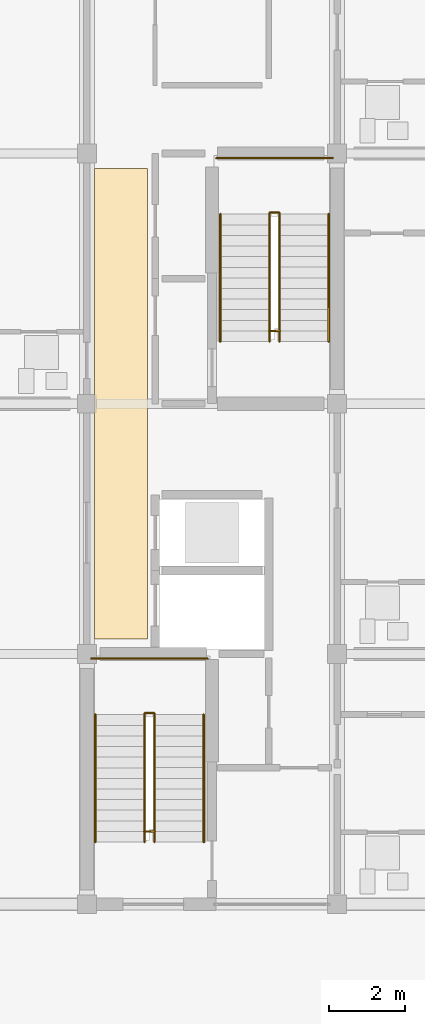
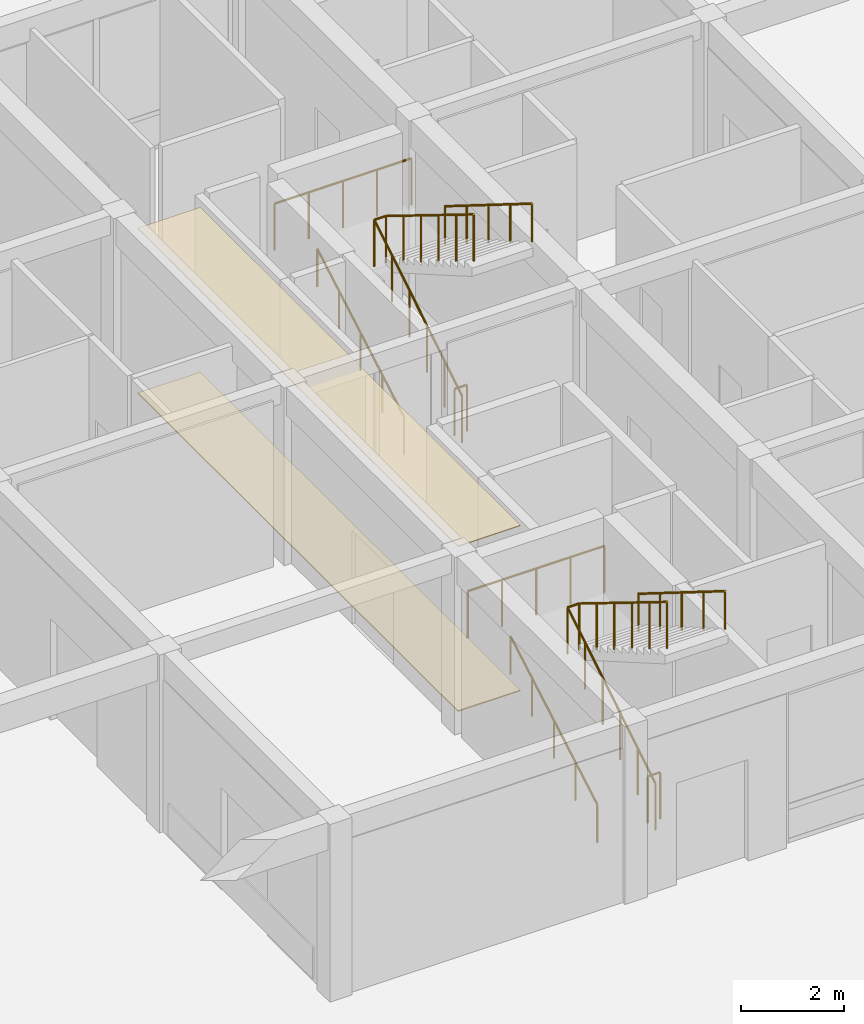
# One storey, part 71 of 75: 10 railings, 2 coverings.
"""IFC4 building model written with IfcOpenShell, lengths in metres."""

import ifcopenshell
import ifcopenshell.guid

model = None  # the IFC model being written
_history = None  # IfcOwnerHistory: only IFC2X3 demands one
_inside = {}  # id of a spatial element -> (the spatial element, [elements in it])
_under = {}  # id of a project, library or spatial element -> (it, [spatial elements below it])
_declared = {}  # id of a project -> (the project, [libraries it declares])
_typed = {}  # id of a type object -> (the type object, [elements of that type])
_made_of = {}  # id of a material, layer set ... -> (it, [elements and type objects made of it])


def new_model(schema):
    """Start an empty IFC model of exactly this schema.

    Asked for "IFC4X3", IfcOpenShell would pick the latest addendum, in which some entities
    have other attributes; the version numbers below select the first issue.
    IFC2X3 requires an IfcOwnerHistory on every rooted entity: one is made here for all.
    """
    global model, _history
    if schema == "IFC4X3":
        model = ifcopenshell.file(schema_version=(4, 3, 0, 0))
    else:
        model = ifcopenshell.file(schema=schema)
    _inside.clear()
    _under.clear()
    _declared.clear()
    _typed.clear()
    _made_of.clear()
    _history = None
    if model.schema == "IFC2X3":
        org = make("IfcOrganization", Name="unknown")
        user = make(
            "IfcPersonAndOrganization",
            ThePerson=make("IfcPerson", FamilyName="unknown"),
            TheOrganization=org,
        )
        app = make(
            "IfcApplication",
            ApplicationDeveloper=org,
            Version="unknown",
            ApplicationFullName="unknown",
            ApplicationIdentifier="unknown",
        )
        _history = make(
            "IfcOwnerHistory",
            OwningUser=user,
            OwningApplication=app,
            ChangeAction="ADDED",
            CreationDate=0,
        )
    return model


def make(cls, **values):
    """One entity of the class cls with the attributes given. An attribute that is None is left unset."""
    return model.create_entity(
        cls, **{name: value for name, value in values.items() if value is not None}
    )


def rooted(cls, **values):
    """An entity with a GlobalId (a new one), such as an element, a storey or a relation."""
    return make(cls, GlobalId=ifcopenshell.guid.new(), OwnerHistory=_history, **values)


def si_unit(unit_type, name, prefix=None):
    """IfcSIUnit, for example si_unit("LENGTHUNIT", "METRE", prefix="MILLI")."""
    return make("IfcSIUnit", UnitType=unit_type, Prefix=prefix, Name=name)


def assignment(units):
    """IfcUnitAssignment: the units of a project."""
    return None if units is None else make("IfcUnitAssignment", Units=units)


def point(xyz):
    """IfcCartesianPoint."""
    return None if xyz is None else make("IfcCartesianPoint", Coordinates=xyz)


def direction(xyz):
    """IfcDirection."""
    return None if xyz is None else make("IfcDirection", DirectionRatios=xyz)


def frame(location, z_axis=None, x_axis=None):
    """IfcAxis2Placement3D, a coordinate frame: its origin and axes. An axis left out is left unset."""
    return make(
        "IfcAxis2Placement3D",
        Location=point(location),
        Axis=direction(z_axis),
        RefDirection=direction(x_axis),
    )


def frame_2d(location, x_axis=None):
    """IfcAxis2Placement2D, a coordinate frame in the plane: its origin and x axis."""
    return make(
        "IfcAxis2Placement2D", Location=point(location), RefDirection=direction(x_axis)
    )


def origin():
    """The frame at (0, 0, 0) with its axes left unset."""
    return frame((0.0, 0.0, 0.0))


def origin_2d():
    """The frame at (0, 0) in the plane with its x axis left unset."""
    return frame_2d((0.0, 0.0))


def place(relative_to, where):
    """IfcLocalPlacement: puts the frame where relative to a parent placement (None: the world)."""
    return make(
        "IfcLocalPlacement", PlacementRelTo=relative_to, RelativePlacement=where
    )


def context(
    kind, dimensions, precision=None, world=None, true_north=None, identifier=None
):
    """IfcGeometricRepresentationContext, for example the 3D "Model" context."""
    return make(
        "IfcGeometricRepresentationContext",
        ContextIdentifier=identifier,
        ContextType=kind,
        CoordinateSpaceDimension=dimensions,
        Precision=precision,
        WorldCoordinateSystem=world,
        TrueNorth=true_north,
    )


def subcontext(parent, identifier, kind, view, scale=None):
    """IfcGeometricRepresentationSubContext, for example "Body" below "Model"."""
    return make(
        "IfcGeometricRepresentationSubContext",
        ContextIdentifier=identifier,
        ContextType=kind,
        ParentContext=parent,
        TargetScale=scale,
        TargetView=view,
    )


def project(units=None, contexts=None):
    """IfcProject with its units and contexts."""
    return rooted(
        "IfcProject",
        Name="project",
        RepresentationContexts=contexts,
        UnitsInContext=assignment(units),
    )


def spatial(cls, under=None, at=None, **own):
    """A site, building, storey or space (cls), placed at a placement, below another one or the project."""
    s = rooted(cls, ObjectPlacement=at, **own)
    if under is not None:
        _under.setdefault(under.id(), (under, []))[1].append(s)
    return s


def polyline(points):
    """IfcPolyline through the points."""
    return make("IfcPolyline", Points=[point(p) for p in points])


def profile(cls, at=None, kind="AREA", **sizes):
    """A parametric profile (cls). Its sizes go by their IFC names, for example OverallWidth=200.0."""
    return make(cls, ProfileType=kind, Position=at, **sizes)


def circle(**sizes):
    """IfcCircleProfileDef."""
    return profile("IfcCircleProfileDef", **sizes)


def outline(outer, holes=None, kind="AREA"):
    """IfcArbitraryClosedProfileDef: a profile drawn as a closed curve; with holes, ...WithVoids."""
    if holes is None:
        return make("IfcArbitraryClosedProfileDef", ProfileType=kind, OuterCurve=outer)
    return make(
        "IfcArbitraryProfileDefWithVoids",
        ProfileType=kind,
        OuterCurve=outer,
        InnerCurves=holes,
    )


def extrude(swept, where, along, depth):
    """IfcExtrudedAreaSolid: the profile swept, set in the frame where, extruded along a direction by depth."""
    return make(
        "IfcExtrudedAreaSolid",
        SweptArea=swept,
        Position=where,
        ExtrudedDirection=direction(along),
        Depth=depth,
    )


def shape(context_of_items, identifier, shape_type, items):
    """IfcShapeRepresentation: the items that make up one representation, for example the "Body"."""
    return make(
        "IfcShapeRepresentation",
        ContextOfItems=context_of_items,
        RepresentationIdentifier=identifier,
        RepresentationType=shape_type,
        Items=items,
    )


def material(Name=None, Category=None):
    """IfcMaterial."""
    return make("IfcMaterial", Name=Name, Category=Category)


def layer(
    of_material, thickness, ventilated=None, Name=None, Category=None, Priority=None
):
    """IfcMaterialLayer: one layer of a wall or slab, of a material (None: an air gap)."""
    return make(
        "IfcMaterialLayer",
        Material=of_material,
        LayerThickness=thickness,
        IsVentilated=ventilated,
        Name=Name,
        Category=Category,
        Priority=Priority,
    )


def layer_set(layers, Name=None):
    """IfcMaterialLayerSet."""
    return make("IfcMaterialLayerSet", MaterialLayers=layers, LayerSetName=Name)


def made_of(thing, what):
    """Note that an element or type object is made of a material, layer set ...; save() writes the relation."""
    if what is not None:
        _made_of.setdefault(what.id(), (what, []))[1].append(thing)
    return thing


def type_object(cls, material=None, **own):
    """A type object (cls), such as IfcWallType, which elements share."""
    return made_of(rooted(cls, **own), material)


def element(
    cls,
    number,
    at=None,
    inside=None,
    cuts=None,
    type_object=None,
    material=None,
    context=None,
    identifier="Body",
    shape_type=None,
    held_by="IfcProductDefinitionShape",
    body=None,
    shapes=None,
    **own,
):
    """One element of the class cls, such as IfcWall. Its Tag is "e" and its number.

    at: its placement. inside: the storey or other place that contains it. cuts: it is an
    opening in that element (IfcRelVoidsElement). A single representation is given by context,
    identifier, shape_type and body (its items); several are given by shapes. held_by: the class
    of the entity that holds the representations. save() writes the other relations.
    """
    e = rooted(cls, Tag="e%d" % number, ObjectPlacement=at, **own)
    if body is not None:
        shapes = [shape(context, identifier, shape_type, body)]
    if shapes is not None:
        e.Representation = make(held_by, Representations=shapes)
    if inside is not None:
        _inside.setdefault(inside.id(), (inside, []))[1].append(e)
    if cuts is not None:
        rooted(
            "IfcRelVoidsElement", RelatingBuildingElement=cuts, RelatedOpeningElement=e
        )
    if type_object is not None:
        _typed.setdefault(type_object.id(), (type_object, []))[1].append(e)
    return made_of(e, material)


def aggregate(whole, parts):
    """IfcRelAggregates: a whole, such as a stair, and the parts it consists of."""
    return rooted("IfcRelAggregates", RelatingObject=whole, RelatedObjects=parts)


def save(model, path):
    """Write the relations noted so far, then the file.

    IfcRelAggregates (storeys below a building ...), IfcRelContainedInSpatialStructure (elements
    in a storey), IfcRelDefinesByType, IfcRelAssociatesMaterial and IfcRelDeclares: one each for
    every whole, place, type object, material and project.
    """
    for whole, parts in _under.values():
        aggregate(whole, parts)
    for where, things in _inside.values():
        rooted(
            "IfcRelContainedInSpatialStructure",
            RelatedElements=things,
            RelatingStructure=where,
        )
    for kind, things in _typed.values():
        rooted("IfcRelDefinesByType", RelatedObjects=things, RelatingType=kind)
    for what, things in _made_of.values():
        rooted("IfcRelAssociatesMaterial", RelatedObjects=things, RelatingMaterial=what)
    for by, libraries in _declared.values():
        rooted("IfcRelDeclares", RelatingContext=by, RelatedDefinitions=libraries)
    model.write(path)


model = new_model("IFC4")

# Units and contexts
model_context = context("Model", 3, precision=1e-05, world=origin(), true_north=direction((0.0, 1.0)))
body_context = subcontext(model_context, "Body", "Model", "MODEL_VIEW")
ifc_project = project(units=[si_unit("LENGTHUNIT", "METRE"), si_unit("AREAUNIT", "SQUARE_METRE"), si_unit("VOLUMEUNIT", "CUBIC_METRE"), si_unit("PLANEANGLEUNIT", "RADIAN"), si_unit("MASSUNIT", "GRAM", prefix="KILO")], contexts=[model_context])

# Site, building, storey
site_placement = place(None, origin())
site = spatial("IfcSite", under=ifc_project, at=site_placement, CompositionType="ELEMENT")
building_placement = place(site_placement, origin())
building = spatial("IfcBuilding", under=site, at=building_placement, Name="Kernevlak Ridge Housing Community", CompositionType="ELEMENT")
storey_placement = place(building_placement, origin())
storey = spatial("IfcBuildingStorey", under=building, at=storey_placement, Name="L00", CompositionType="ELEMENT", Elevation=0.0)

# Coverings
ifc_material_1 = material(Name="Acoustic perforated gypsum ceiling board")
ifc_layer_1 = layer(ifc_material_1, 0.02001953125, Name="Acoustic perforated gypsum ceiling board")
ifc_layer_set_1 = layer_set([ifc_layer_1], Name="Acoustic perforated gypsum ceiling board")
covering_type_1 = type_object("IfcCoveringType", Name="CV-01", PredefinedType="CEILING", material=ifc_layer_set_1)
covering_1_placement = place(storey_placement, frame((0.0, 0.0, 3.89990234375)))
element("IfcCovering", 1, at=covering_1_placement, inside=storey, type_object=covering_type_1, Name="Block C L00 lobby acoustic ceiling", PredefinedType="CEILING", context=body_context, shape_type="SweptSolid", body=[
    extrude(outline(polyline([(134.199951171875, 22.60009765625), (134.199951171875, 35.0), (132.800048828125, 35.0), (132.800048828125, 22.60009765625), (134.199951171875, 22.60009765625)])), origin(), (0.0, 0.0, 1.0), 0.02001953125),
])
ifc_material_2 = material(Name="Polished pale terrazzo tile flooring")
ifc_layer_2 = layer(ifc_material_2, 0.02490234375, Name="Polished pale terrazzo tile flooring")
ifc_layer_set_2 = layer_set([ifc_layer_2], Name="Polished pale terrazzo tile flooring")
covering_type_2 = type_object("IfcCoveringType", Name="CV-02", PredefinedType="FLOORING", material=ifc_layer_set_2)
covering_2_placement = place(storey_placement, origin())
element("IfcCovering", 2, at=covering_2_placement, inside=storey, type_object=covering_type_2, Name="Block C L00 lobby terrazzo flooring", PredefinedType="FLOORING", context=body_context, shape_type="SweptSolid", body=[
    extrude(outline(polyline([(134.199951171875, 22.60009765625), (134.199951171875, 35.0), (132.800048828125, 35.0), (132.800048828125, 22.60009765625), (134.199951171875, 22.60009765625)])), origin(), (0.0, 0.0, 1.0), 0.02490234375),
])

# Railings
ifc_material_3 = material(Name="Steel S355", Category="steel")
railing_type_1 = type_object("IfcRailingType", Name="GR-02", PredefinedType="GUARDRAIL", material=ifc_material_3)
railing_1_placement = place(storey_placement, frame((134.110107421875, 17.52001953125, 0.0)))
element("IfcRailing", 3, at=railing_1_placement, inside=storey, type_object=railing_type_1, Name="Stair ST-C1 L00 well slot guard", PredefinedType="GUARDRAIL", context=body_context, shape_type="SweptSolid", body=[
    extrude(circle(Radius=0.02392578125, at=origin_2d()), frame((0.0, 0.0, 1.09619140625), z_axis=(1.0, 0.0, 0.0), x_axis=(0.0, 1.0, 0.0)), (0.0, 0.0, 1.0), 0.27978515625),
    extrude(circle(Radius=0.02099609375, at=origin_2d()), origin(), (0.0, 0.0, 1.0), 1.072021484375),
    extrude(circle(Radius=0.02099609375, at=origin_2d()), frame((0.27978515625, 0.0, 0.0)), (0.0, 0.0, 1.0), 1.072021484375),
])
railing_2_placement = place(storey_placement, frame((134.1201171875, 17.239990234375, 0.0)))
element("IfcRailing", 4, at=railing_2_placement, inside=storey, type_object=railing_type_1, Name="Stair ST-C1 L00 inner well guardrail", PredefinedType="GUARDRAIL", context=body_context, shape_type="SweptSolid", body=[
    extrude(circle(Radius=0.02392578125, at=origin_2d()), frame((0.0, 0.0, 1.09619140625), z_axis=(0.0, 0.850780323153, 0.525521495028), x_axis=(-1.0, 0.0, 0.0)), (0.0, 0.0, 1.0), 3.996337890625),
    extrude(circle(Radius=0.02392578125, at=origin_2d()), frame((0.0, 3.39990234375, 3.1962890625), z_axis=(1.0, 0.0, 0.0), x_axis=(0.0, 1.0, 0.0)), (0.0, 0.0, 1.0), 0.259765625),
    extrude(circle(Radius=0.02392578125, at=origin_2d()), frame((0.259765625, 3.39990234375, 3.1962890625), z_axis=(0.0, -0.85080763774, 0.525477272167), x_axis=(1.0, 0.0, 0.0)), (0.0, 0.0, 1.0), 3.99609375),
    extrude(circle(Radius=0.02099609375, at=origin_2d()), origin(), (0.0, 0.0, 1.0), 1.072021484375),
    extrude(circle(Radius=0.02099609375, at=origin_2d()), frame((0.0, 0.679931640625, 0.419921875)), (0.0, 0.0, 1.0), 1.072021484375),
    extrude(circle(Radius=0.02099609375, at=origin_2d()), frame((0.0, 1.35986328125, 0.840087890625)), (0.0, 0.0, 1.0), 1.072021484375),
    extrude(circle(Radius=0.02099609375, at=origin_2d()), frame((0.0, 2.0400390625, 1.260009765625)), (0.0, 0.0, 1.0), 1.072021484375),
    extrude(circle(Radius=0.02099609375, at=origin_2d()), frame((0.0, 2.719970703125, 1.68017578125)), (0.0, 0.0, 1.0), 1.072021484375),
    extrude(circle(Radius=0.02099609375, at=origin_2d()), frame((0.0, 3.39990234375, 2.10009765625)), (0.0, 0.0, 1.0), 1.072021484375),
    extrude(circle(Radius=0.02099609375, at=origin_2d()), frame((0.259765625, 3.39990234375, 2.10009765625)), (0.0, 0.0, 1.0), 1.072021484375),
    extrude(circle(Radius=0.02099609375, at=origin_2d()), frame((0.259765625, 2.719970703125, 2.52001953125)), (0.0, 0.0, 1.0), 1.072021484375),
    extrude(circle(Radius=0.02099609375, at=origin_2d()), frame((0.259765625, 2.0400390625, 2.93994140625)), (0.0, 0.0, 1.0), 1.072021484375),
    extrude(circle(Radius=0.02099609375, at=origin_2d()), frame((0.259765625, 1.35986328125, 3.360107421875)), (0.0, 0.0, 1.0), 1.072021484375),
    extrude(circle(Radius=0.02099609375, at=origin_2d()), frame((0.259765625, 0.679931640625, 3.780029296875)), (0.0, 0.0, 1.0), 1.072021484375),
    extrude(circle(Radius=0.02099609375, at=origin_2d()), frame((0.259765625, 0.0, 4.199951171875)), (0.0, 0.0, 1.0), 1.072021484375),
])
railing_3_placement = place(storey_placement, frame((132.719970703125, 22.080078125, 2.10009765625)))
element("IfcRailing", 5, at=railing_3_placement, inside=storey, type_object=railing_type_1, Name="Stair ST-C1 L00 half-landing guard", PredefinedType="GUARDRAIL", context=body_context, shape_type="SweptSolid", body=[
    extrude(circle(Radius=0.02392578125, at=origin_2d()), frame((0.0, 0.0, 1.09619140625), z_axis=(1.0, 0.0, 0.0), x_axis=(0.0, 1.0, 0.0)), (0.0, 0.0, 1.0), 3.06005859375),
    extrude(circle(Radius=0.02099609375, at=origin_2d()), origin(), (0.0, 0.0, 1.0), 1.072021484375),
    extrude(circle(Radius=0.02099609375, at=origin_2d()), frame((0.76513671875, 0.0, 0.0)), (0.0, 0.0, 1.0), 1.072021484375),
    extrude(circle(Radius=0.02099609375, at=origin_2d()), frame((1.530029296875, 0.0, 0.0)), (0.0, 0.0, 1.0), 1.072021484375),
    extrude(circle(Radius=0.02099609375, at=origin_2d()), frame((2.294921875, 0.0, 0.0)), (0.0, 0.0, 1.0), 1.072021484375),
    extrude(circle(Radius=0.02099609375, at=origin_2d()), frame((3.06005859375, 0.0, 0.0)), (0.0, 0.0, 1.0), 1.072021484375),
])
railing_4_placement = place(storey_placement, frame((137.409912109375, 30.719970703125, 0.0)))
element("IfcRailing", 6, at=railing_4_placement, inside=storey, type_object=railing_type_1, Name="Stair ST-C2 L00 well slot guard", PredefinedType="GUARDRAIL", context=body_context, shape_type="SweptSolid", body=[
    extrude(circle(Radius=0.02392578125, at=origin_2d()), frame((0.0, 0.0, 1.09619140625), z_axis=(1.0, 0.0, 0.0), x_axis=(0.0, 1.0, 0.0)), (0.0, 0.0, 1.0), 0.280029296875),
    extrude(circle(Radius=0.02099609375, at=origin_2d()), origin(), (0.0, 0.0, 1.0), 1.072021484375),
    extrude(circle(Radius=0.02099609375, at=origin_2d()), frame((0.280029296875, 0.0, 0.0)), (0.0, 0.0, 1.0), 1.072021484375),
])
railing_5_placement = place(storey_placement, frame((137.419921875, 30.43994140625, 0.0)))
element("IfcRailing", 7, at=railing_5_placement, inside=storey, type_object=railing_type_1, Name="Stair ST-C2 L00 inner well guardrail", PredefinedType="GUARDRAIL", context=body_context, shape_type="SweptSolid", body=[
    extrude(circle(Radius=0.02392578125, at=origin_2d()), frame((0.0, 0.0, 1.09619140625), z_axis=(0.0, 0.850797194049, 0.525494181317), x_axis=(-1.0, 0.0, 0.0)), (0.0, 0.0, 1.0), 3.996337890625),
    extrude(circle(Radius=0.02392578125, at=origin_2d()), frame((0.0, 3.400146484375, 3.1962890625), z_axis=(1.0, 0.0, 0.0), x_axis=(0.0, 1.0, 0.0)), (0.0, 0.0, 1.0), 0.260009765625),
    extrude(circle(Radius=0.02392578125, at=origin_2d()), frame((0.260009765625, 3.400146484375, 3.1962890625), z_axis=(0.0, -0.850824506338, 0.525449959001), x_axis=(1.0, 0.0, 0.0)), (0.0, 0.0, 1.0), 3.996337890625),
    extrude(circle(Radius=0.02099609375, at=origin_2d()), origin(), (0.0, 0.0, 1.0), 1.072021484375),
    extrude(circle(Radius=0.02099609375, at=origin_2d()), frame((0.0, 0.679931640625, 0.419921875)), (0.0, 0.0, 1.0), 1.072021484375),
    extrude(circle(Radius=0.02099609375, at=origin_2d()), frame((0.0, 1.360107421875, 0.840087890625)), (0.0, 0.0, 1.0), 1.072021484375),
    extrude(circle(Radius=0.02099609375, at=origin_2d()), frame((0.0, 2.0400390625, 1.260009765625)), (0.0, 0.0, 1.0), 1.072021484375),
    extrude(circle(Radius=0.02099609375, at=origin_2d()), frame((0.0, 2.72021484375, 1.68017578125)), (0.0, 0.0, 1.0), 1.072021484375),
    extrude(circle(Radius=0.02099609375, at=origin_2d()), frame((0.0, 3.400146484375, 2.10009765625)), (0.0, 0.0, 1.0), 1.072021484375),
    extrude(circle(Radius=0.02099609375, at=origin_2d()), frame((0.260009765625, 3.400146484375, 2.10009765625)), (0.0, 0.0, 1.0), 1.072021484375),
    extrude(circle(Radius=0.02099609375, at=origin_2d()), frame((0.260009765625, 2.72021484375, 2.52001953125)), (0.0, 0.0, 1.0), 1.072021484375),
    extrude(circle(Radius=0.02099609375, at=origin_2d()), frame((0.260009765625, 2.0400390625, 2.93994140625)), (0.0, 0.0, 1.0), 1.072021484375),
    extrude(circle(Radius=0.02099609375, at=origin_2d()), frame((0.260009765625, 1.360107421875, 3.360107421875)), (0.0, 0.0, 1.0), 1.072021484375),
    extrude(circle(Radius=0.02099609375, at=origin_2d()), frame((0.260009765625, 0.679931640625, 3.780029296875)), (0.0, 0.0, 1.0), 1.072021484375),
    extrude(circle(Radius=0.02099609375, at=origin_2d()), frame((0.260009765625, 0.0, 4.199951171875)), (0.0, 0.0, 1.0), 1.072021484375),
])
railing_6_placement = place(storey_placement, frame((136.02001953125, 35.280029296875, 2.10009765625)))
element("IfcRailing", 8, at=railing_6_placement, inside=storey, type_object=railing_type_1, Name="Stair ST-C2 L00 half-landing guard", PredefinedType="GUARDRAIL", context=body_context, shape_type="SweptSolid", body=[
    extrude(circle(Radius=0.02392578125, at=origin_2d()), frame((0.0, 0.0, 1.09619140625), z_axis=(1.0, 0.0, 0.0), x_axis=(0.0, 1.0, 0.0)), (0.0, 0.0, 1.0), 3.06005859375),
    extrude(circle(Radius=0.02099609375, at=origin_2d()), origin(), (0.0, 0.0, 1.0), 1.072021484375),
    extrude(circle(Radius=0.02099609375, at=origin_2d()), frame((0.76513671875, 0.0, 0.0)), (0.0, 0.0, 1.0), 1.072021484375),
    extrude(circle(Radius=0.02099609375, at=origin_2d()), frame((1.530029296875, 0.0, 0.0)), (0.0, 0.0, 1.0), 1.072021484375),
    extrude(circle(Radius=0.02099609375, at=origin_2d()), frame((2.294921875, 0.0, 0.0)), (0.0, 0.0, 1.0), 1.072021484375),
    extrude(circle(Radius=0.02099609375, at=origin_2d()), frame((3.06005859375, 0.0, 0.0)), (0.0, 0.0, 1.0), 1.072021484375),
])
ifc_material_4 = material(Name="Stainless steel EN 1.4401", Category="steel")
railing_type_2 = type_object("IfcRailingType", Name="HR-01", PredefinedType="HANDRAIL", material=ifc_material_4)
railing_7_placement = place(storey_placement, frame((132.820068359375, 17.239990234375, 0.16162109375)))
element("IfcRailing", 9, at=railing_7_placement, inside=storey, type_object=railing_type_2, Name="Stair ST-C1 L00 flight 1 handrail", PredefinedType="HANDRAIL", context=body_context, shape_type="SweptSolid", body=[
    extrude(circle(Radius=0.02392578125, at=origin_2d()), frame((0.0, 0.0, 0.89599609375), z_axis=(0.0, 0.866190824863, 0.499713372768), x_axis=(-1.0, 0.0, 0.0)), (0.0, 0.0, 1.0), 3.879150390625),
    extrude(circle(Radius=0.02099609375, at=origin_2d()), origin(), (0.0, 0.0, 1.0), 0.871826171875),
    extrude(circle(Radius=0.02099609375, at=origin_2d()), frame((0.0, 0.840087890625, 0.484619140625)), (0.0, 0.0, 1.0), 0.871826171875),
    extrude(circle(Radius=0.02099609375, at=origin_2d()), frame((0.0, 1.68017578125, 0.96923828125)), (0.0, 0.0, 1.0), 0.871826171875),
    extrude(circle(Radius=0.02099609375, at=origin_2d()), frame((0.0, 2.52001953125, 1.453857421875)), (0.0, 0.0, 1.0), 0.871826171875),
    extrude(circle(Radius=0.02099609375, at=origin_2d()), frame((0.0, 3.360107421875, 1.9384765625)), (0.0, 0.0, 1.0), 0.871826171875),
])
railing_8_placement = place(storey_placement, frame((135.679931640625, 20.60009765625, 2.10009765625)))
element("IfcRailing", 10, at=railing_8_placement, inside=storey, type_object=railing_type_2, Name="Stair ST-C1 L00 flight 2 handrail", PredefinedType="HANDRAIL", context=body_context, shape_type="SweptSolid", body=[
    extrude(circle(Radius=0.02392578125, at=origin_2d()), frame((0.0, 0.0, 0.89599609375), z_axis=(0.0, -0.848022534174, 0.529960169762), x_axis=(1.0, 0.0, 0.0)), (0.0, 0.0, 1.0), 3.96240234375),
    extrude(circle(Radius=0.02099609375, at=origin_2d()), origin(), (0.0, 0.0, 1.0), 0.871826171875),
    extrude(circle(Radius=0.02099609375, at=origin_2d()), frame((0.0, -0.840087890625, 0.52490234375)), (0.0, 0.0, 1.0), 0.871826171875),
    extrude(circle(Radius=0.02099609375, at=origin_2d()), frame((0.0, -1.68017578125, 1.0498046875)), (0.0, 0.0, 1.0), 0.871826171875),
    extrude(circle(Radius=0.02099609375, at=origin_2d()), frame((0.0, -2.52001953125, 1.574951171875)), (0.0, 0.0, 1.0), 0.871826171875),
    extrude(circle(Radius=0.02099609375, at=origin_2d()), frame((0.0, -3.360107421875, 2.099853515625)), (0.0, 0.0, 1.0), 0.871826171875),
])
railing_9_placement = place(storey_placement, frame((136.1201171875, 30.43994140625, 0.16162109375)))
element("IfcRailing", 11, at=railing_9_placement, inside=storey, type_object=railing_type_2, Name="Stair ST-C2 L00 flight 1 handrail", PredefinedType="HANDRAIL", context=body_context, shape_type="SweptSolid", body=[
    extrude(circle(Radius=0.02392578125, at=origin_2d()), frame((0.0, 0.0, 0.89599609375), z_axis=(0.0, 0.866190824863, 0.499713372768), x_axis=(-1.0, 0.0, 0.0)), (0.0, 0.0, 1.0), 3.879150390625),
    extrude(circle(Radius=0.02099609375, at=origin_2d()), origin(), (0.0, 0.0, 1.0), 0.871826171875),
    extrude(circle(Radius=0.02099609375, at=origin_2d()), frame((0.0, 0.840087890625, 0.484619140625)), (0.0, 0.0, 1.0), 0.871826171875),
    extrude(circle(Radius=0.02099609375, at=origin_2d()), frame((0.0, 1.68017578125, 0.96923828125)), (0.0, 0.0, 1.0), 0.871826171875),
    extrude(circle(Radius=0.02099609375, at=origin_2d()), frame((0.0, 2.52001953125, 1.453857421875)), (0.0, 0.0, 1.0), 0.871826171875),
    extrude(circle(Radius=0.02099609375, at=origin_2d()), frame((0.0, 3.360107421875, 1.9384765625)), (0.0, 0.0, 1.0), 0.871826171875),
])
railing_10_placement = place(storey_placement, frame((138.97998046875, 33.800048828125, 2.10009765625)))
element("IfcRailing", 12, at=railing_10_placement, inside=storey, type_object=railing_type_2, Name="Stair ST-C2 L00 flight 2 handrail", PredefinedType="HANDRAIL", context=body_context, shape_type="SweptSolid", body=[
    extrude(circle(Radius=0.02392578125, at=origin_2d()), frame((0.0, 0.0, 0.89599609375), z_axis=(0.0, -0.848022534174, 0.529960169762), x_axis=(1.0, 0.0, 0.0)), (0.0, 0.0, 1.0), 3.96240234375),
    extrude(circle(Radius=0.02099609375, at=origin_2d()), origin(), (0.0, 0.0, 1.0), 0.871826171875),
    extrude(circle(Radius=0.02099609375, at=origin_2d()), frame((0.0, -0.840087890625, 0.52490234375)), (0.0, 0.0, 1.0), 0.871826171875),
    extrude(circle(Radius=0.02099609375, at=origin_2d()), frame((0.0, -1.68017578125, 1.0498046875)), (0.0, 0.0, 1.0), 0.871826171875),
    extrude(circle(Radius=0.02099609375, at=origin_2d()), frame((0.0, -2.52001953125, 1.574951171875)), (0.0, 0.0, 1.0), 0.871826171875),
    extrude(circle(Radius=0.02099609375, at=origin_2d()), frame((0.0, -3.360107421875, 2.099853515625)), (0.0, 0.0, 1.0), 0.871826171875),
])

save(model, "model.ifc")
